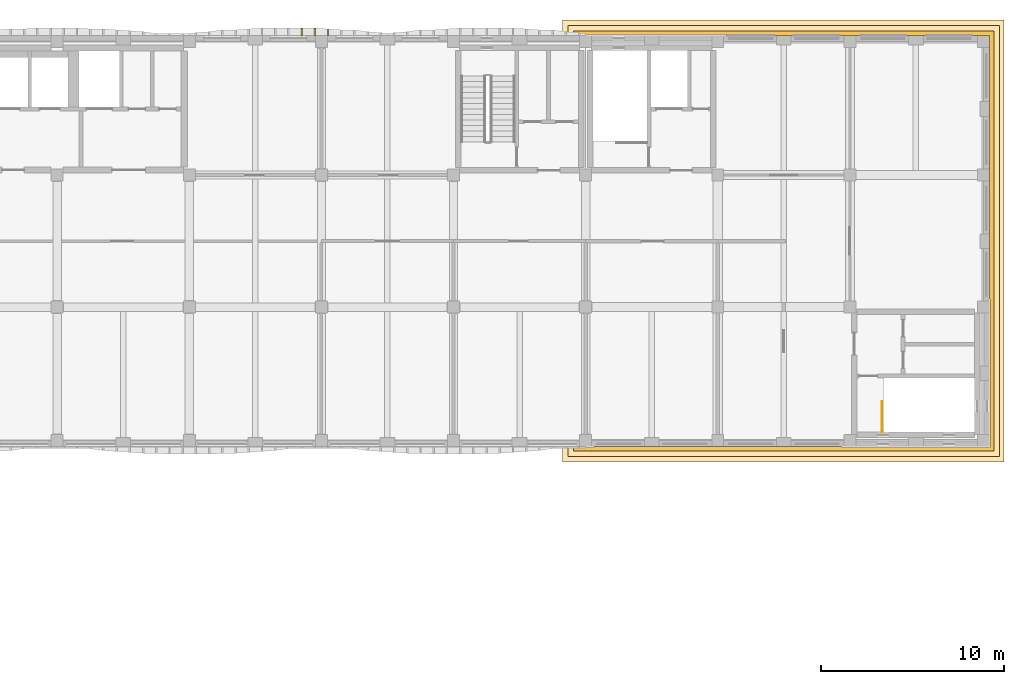
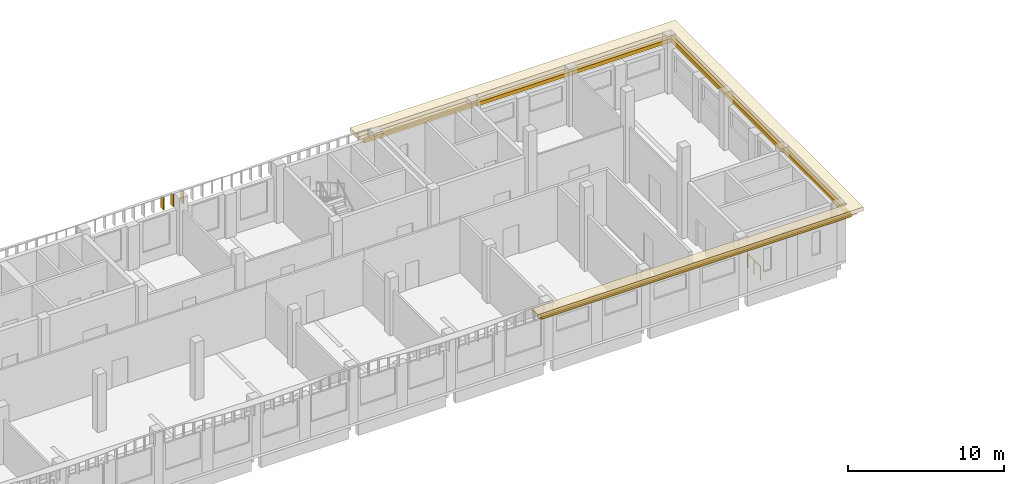
# One storey, part 52 of 58: 3 coverings, 3 shading devices, 1 railing.
"""IFC4 building model written with IfcOpenShell, lengths in metres."""

from ifc_helpers import new_model, si_unit, direction, frame, origin, origin_2d, place, context, subcontext, project, spatial, polyline, circle, outline, extrude, material, layer, layer_set, type_object, element, save


model = new_model("IFC4")

# Units and contexts
model_context = context("Model", 3, precision=1e-05, world=origin(), true_north=direction((0.0, 1.0)))
body_context = subcontext(model_context, "Body", "Model", "MODEL_VIEW")
ifc_project = project(units=[si_unit("LENGTHUNIT", "METRE"), si_unit("AREAUNIT", "SQUARE_METRE"), si_unit("VOLUMEUNIT", "CUBIC_METRE"), si_unit("PLANEANGLEUNIT", "RADIAN"), si_unit("MASSUNIT", "GRAM", prefix="KILO")], contexts=[model_context])

# Site, building, storey
site_placement = place(None, origin())
site = spatial("IfcSite", under=ifc_project, at=site_placement, CompositionType="ELEMENT")
building_placement = place(site_placement, origin())
building = spatial("IfcBuilding", under=site, at=building_placement, Name="Ussher Court Research Institute", CompositionType="ELEMENT")
storey_placement = place(building_placement, frame((0.0, 0.0, 9.89990234375)))
storey = spatial("IfcBuildingStorey", under=building, at=storey_placement, Name="L02", CompositionType="ELEMENT", Elevation=9.89990234375)

# Shading devices
ifc_material_1 = material(Name="Bronze anodised aluminium", Category="aluminium")
ifc_layer_1 = layer(ifc_material_1, 0.050048828125)
ifc_layer_set_1 = layer_set([ifc_layer_1], Name="Bronze anodised aluminium")
shading_device_type_1 = type_object("IfcShadingDeviceType", Name="Brim blade 350 mm deep 1000 mm high canted 20 deg dry", PredefinedType="USERDEFINED", material=ifc_layer_set_1)
shading_device_placement = place(storey_placement, frame((68.159912109375, 90.800048828125, 3.4501953125), z_axis=(0.0, 0.0, 1.0), x_axis=(0.0, 1.0, 0.0)))
element("IfcShadingDevice", 1, at=shading_device_placement, inside=storey, type_object=shading_device_type_1, Name="Brim blade BS12 L02", ObjectType="BLADE", PredefinedType="USERDEFINED", context=body_context, shape_type="SweptSolid", body=[
    extrude(outline(polyline([(0.0, 0.0), (0.349853515625, 0.0), (0.35009765625, 0.87255859375), (0.0, 1.0), (0.0, 0.0)])), frame((0.0, 0.02490234375, 0.0), z_axis=(0.0, -1.0, 0.0), x_axis=(1.0, 0.0, 0.0)), (0.0, 0.0, 1.0), 0.050048828125),
])
ifc_material_2 = material(Name="Bronze anodised aluminium", Category="aluminium")
ifc_layer_2 = layer(ifc_material_2, 0.050048828125)
ifc_layer_set_2 = layer_set([ifc_layer_2], Name="Bronze anodised aluminium")
shading_device_type_2 = type_object("IfcShadingDeviceType", Name="Brim blade 400 mm deep 1000 mm high canted 20 deg dry", PredefinedType="USERDEFINED", material=ifc_layer_set_2)
for number, where, z_axis, x_axis, name in (
    (2, (66.719970703125, 90.800048828125, 3.4501953125), (0.0, 0.0, 1.0), (0.0, 1.0, 0.0), "Brim blade BS11 L02"),
    (3, (67.43994140625, 90.800048828125, 3.4501953125), (0.0, 0.0, 1.0), (0.0, 1.0, 0.0), "Brim blade BS11 L02"),
):
    element("IfcShadingDevice", number, at=place(storey_placement, frame(where, z_axis=z_axis, x_axis=x_axis)), inside=storey, type_object=shading_device_type_2, Name=name, ObjectType="BLADE", PredefinedType="USERDEFINED", context=body_context, shape_type="SweptSolid", body=[
        extrude(outline(polyline([(0.0, 0.0), (0.39990234375, 0.0), (0.39990234375, 0.854248046875), (0.0, 1.0), (0.0, 0.0)])), frame((0.0, 0.02490234375, 0.0), z_axis=(0.0, -1.0, 0.0), x_axis=(1.0, 0.0, 0.0)), (0.0, 0.0, 1.0), 0.050048828125),
    ])

# Coverings
ifc_material_3 = material(Name="Limestone cornice", Category="masonry")
covering_type_1 = type_object("IfcCoveringType", Name="Cornice bed mould 250x300", PredefinedType="CLADDING", material=ifc_material_3)
covering_1_placement = place(storey_placement, frame((0.0, 0.0, 3.4501953125)))
element("IfcCovering", 4, at=covering_1_placement, inside=storey, type_object=covering_type_1, Name="CC6 V3", PredefinedType="CLADDING", context=body_context, shape_type="SweptSolid", body=[
    extrude(outline(polyline([(82.64990234375, 68.35009765625), (81.550048828125, 68.35009765625), (81.550048828125, 68.14990234375), (104.449951171875, 68.14990234375), (104.449951171875, 91.050048828125), (81.550048828125, 91.050048828125), (81.550048828125, 90.85009765625), (89.85009765625, 90.85009765625), (89.85009765625, 90.800048828125), (104.199951171875, 90.800048828125), (104.199951171875, 76.449951171875), (104.25, 76.449951171875), (104.25, 68.35009765625), (96.14990234375, 68.35009765625), (96.14990234375, 68.39990234375), (82.64990234375, 68.39990234375), (82.64990234375, 68.35009765625)])), origin(), (0.0, 0.0, 1.0), 0.2998046875),
])
ifc_material_4 = material(Name="Limestone cornice", Category="masonry")
covering_type_2 = type_object("IfcCoveringType", Name="Cornice cap 850x300", PredefinedType="CLADDING", material=ifc_material_4)
covering_2_placement = place(storey_placement, frame((0.0, 0.0, 4.10009765625)))
element("IfcCovering", 5, at=covering_2_placement, inside=storey, type_object=covering_type_2, Name="CC8 V3", PredefinedType="CLADDING", context=body_context, shape_type="SweptSolid", body=[
    extrude(outline(polyline([(82.64990234375, 68.35009765625), (80.949951171875, 68.35009765625), (80.949951171875, 67.550048828125), (105.0, 67.550048828125), (105.0, 91.64990234375), (80.949951171875, 91.64990234375), (80.949951171875, 90.85009765625), (89.85009765625, 90.85009765625), (89.85009765625, 90.800048828125), (104.199951171875, 90.800048828125), (104.199951171875, 76.449951171875), (104.25, 76.449951171875), (104.25, 68.35009765625), (96.14990234375, 68.35009765625), (96.14990234375, 68.39990234375), (82.64990234375, 68.39990234375), (82.64990234375, 68.35009765625)])), origin(), (0.0, 0.0, 1.0), 0.300048828125),
])
ifc_material_5 = material(Name="Limestone cornice", Category="masonry")
covering_type_3 = type_object("IfcCoveringType", Name="Cornice corona 550x350", PredefinedType="CLADDING", material=ifc_material_5)
covering_3_placement = place(storey_placement, frame((0.0, 0.0, 3.75)))
element("IfcCovering", 6, at=covering_3_placement, inside=storey, type_object=covering_type_3, Name="CC7 V3", PredefinedType="CLADDING", context=body_context, shape_type="SweptSolid", body=[
    extrude(outline(polyline([(82.64990234375, 68.35009765625), (81.25, 68.35009765625), (81.25, 67.85009765625), (104.75, 67.85009765625), (104.75, 91.35009765625), (81.25, 91.35009765625), (81.25, 90.85009765625), (89.85009765625, 90.85009765625), (89.85009765625, 90.800048828125), (104.199951171875, 90.800048828125), (104.199951171875, 76.449951171875), (104.25, 76.449951171875), (104.25, 68.35009765625), (96.14990234375, 68.35009765625), (96.14990234375, 68.39990234375), (82.64990234375, 68.39990234375), (82.64990234375, 68.35009765625)])), origin(), (0.0, 0.0, 1.0), 0.35009765625),
])

# Railing
ifc_material_6 = material(Name="Painted steel balustrade", Category="steel")
railing_type = type_object("IfcRailingType", Name="Stair guard 1100 steel balustrade", PredefinedType="GUARDRAIL", material=ifc_material_6)
railing_placement = place(storey_placement, frame((98.35009765625, 69.199951171875, 0.0)))
element("IfcRailing", 7, at=railing_placement, inside=storey, type_object=railing_type, Name="L02 C2 top well guard 1", PredefinedType="GUARDRAIL", context=body_context, shape_type="SweptSolid", body=[
    extrude(circle(Radius=0.02392578125, at=origin_2d()), frame((0.0, 0.0, 1.076171875), z_axis=(0.0, 1.0, 0.0), x_axis=(-1.0, 0.0, 0.0)), (0.0, 0.0, 1.0), 1.650146484375),
    extrude(circle(Radius=0.02099609375, at=origin_2d()), origin(), (0.0, 0.0, 1.0), 1.052001953125),
    extrude(circle(Radius=0.02099609375, at=origin_2d()), frame((0.0, 0.8251953125, 0.0)), (0.0, 0.0, 1.0), 1.052001953125),
    extrude(circle(Radius=0.02099609375, at=origin_2d()), frame((0.0, 1.650146484375, 0.0)), (0.0, 0.0, 1.0), 1.052001953125),
])

save(model, "model.ifc")
